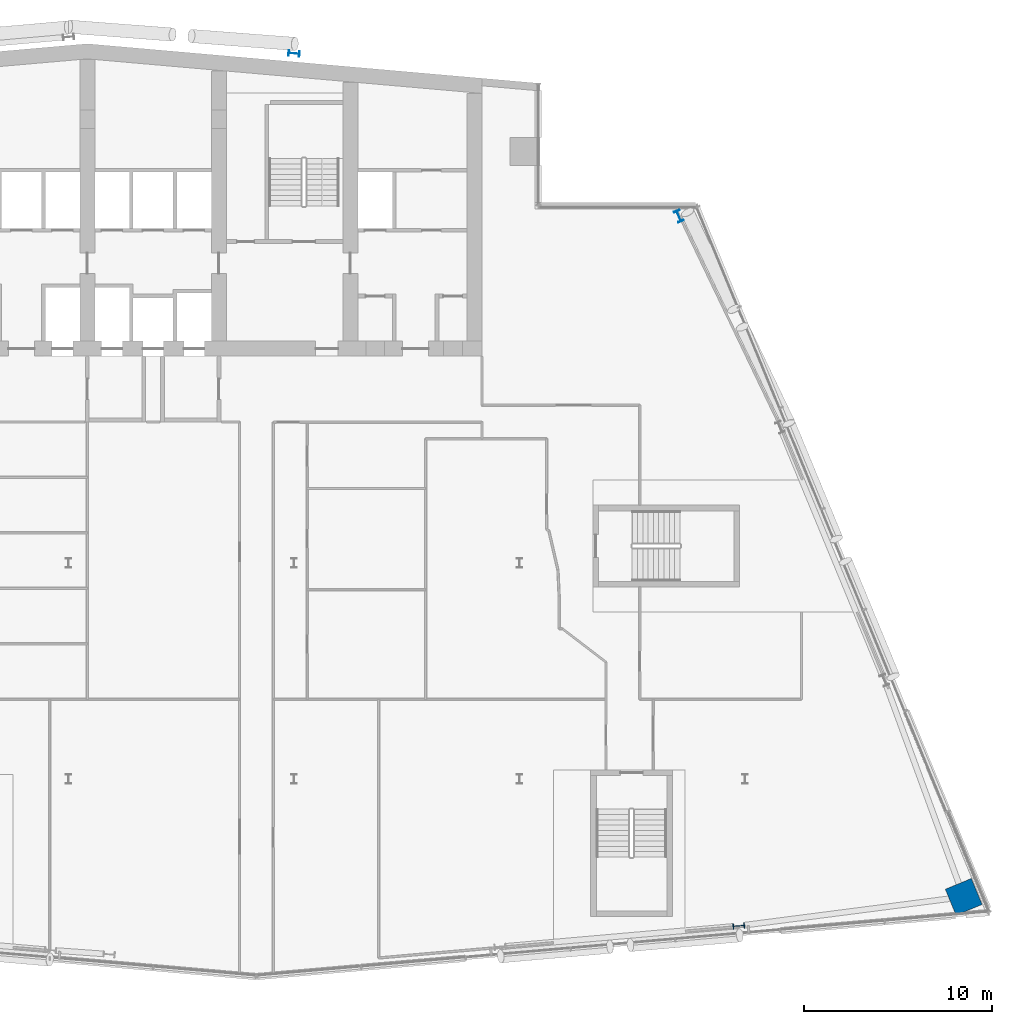
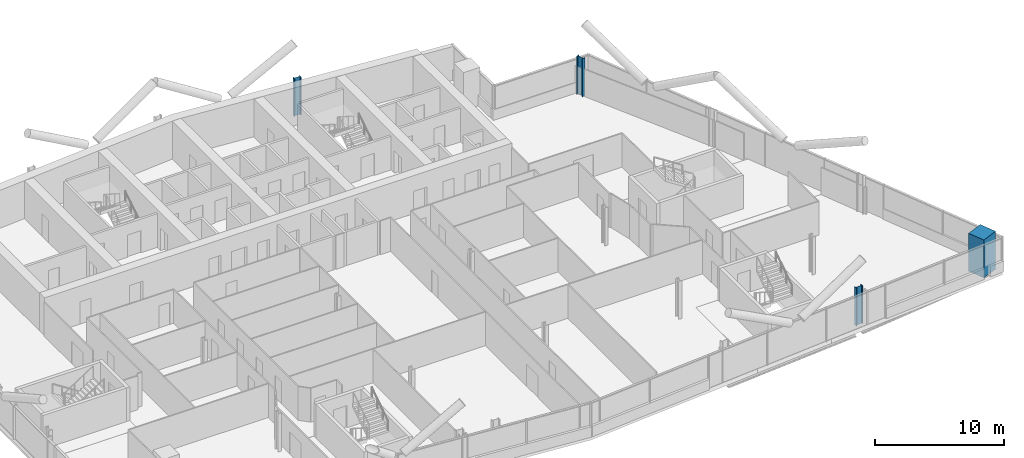
# One storey, part 4 of 26: 4 columns.
"""IFC4 building model written with IfcOpenShell, lengths in metres."""

from ifc_helpers import new_model, si_unit, direction, frame, origin, origin_2d, place, context, subcontext, project, spatial, rectangle, i_section, extrude, material, material_profile, profile_set, type_object, element, save


model = new_model("IFC4")

# Units and contexts
model_context = context("Model", 3, precision=1e-05, world=origin(), true_north=direction((0.0, 1.0)))
body_context = subcontext(model_context, "Body", "Model", "MODEL_VIEW")
ifc_project = project(units=[si_unit("LENGTHUNIT", "METRE"), si_unit("AREAUNIT", "SQUARE_METRE"), si_unit("VOLUMEUNIT", "CUBIC_METRE"), si_unit("PLANEANGLEUNIT", "RADIAN"), si_unit("MASSUNIT", "GRAM", prefix="KILO")], contexts=[model_context])

# Site, building, storey
site_placement = place(None, origin())
site = spatial("IfcSite", under=ifc_project, at=site_placement, CompositionType="ELEMENT")
building_placement = place(site_placement, origin())
building = spatial("IfcBuilding", under=site, at=building_placement, Name="Wharfspan Tower", CompositionType="ELEMENT")
storey_placement = place(building_placement, frame((0.0, 0.0, 166.300049)))
storey = spatial("IfcBuildingStorey", under=building, at=storey_placement, Name="L40", CompositionType="ELEMENT", Elevation=166.300049)

# Columns
ifc_material_1 = material(Name="Steel S355J2", Category="steel")
ifc_material_profile_1 = material_profile(ifc_material_1, i_section(OverallWidth=0.300049, OverallDepth=0.600098, WebThickness=0.015381, FlangeThickness=0.030029, FilletRadius=0.0271, at=origin_2d()))
ifc_profile_set_1 = profile_set([ifc_material_profile_1], Name="Steel S355J2")
column_type_1 = type_object("IfcColumnType", Name="Column HEB 600", PredefinedType="COLUMN", material=ifc_profile_set_1)
column_1_placement = place(storey_placement, frame((48.0, 50.112305, 0.0), z_axis=(0.0, 0.0, 1.0), x_axis=(0.087156, 0.996198, 0.0)))
element("IfcColumn", 1, at=column_1_placement, inside=storey, type_object=column_type_1, Name="Rear column R.3 L40", PredefinedType="COLUMN", context=body_context, shape_type="SweptSolid", body=[
    extrude(i_section(OverallWidth=0.300049, OverallDepth=0.600098, WebThickness=0.015381, FlangeThickness=0.030029, FilletRadius=0.0271, at=origin_2d()), origin(), (0.0, 0.0, 1.0), 3.599854),
])
ifc_material_profile_2 = material_profile(ifc_material_1, i_section(OverallWidth=0.304932, OverallDepth=0.620117, WebThickness=0.020996, FlangeThickness=0.040039, FilletRadius=0.0271, at=origin_2d()))
ifc_profile_set_2 = profile_set([ifc_material_profile_2], Name="Steel S355J2")
column_type_2 = type_object("IfcColumnType", Name="Column HEM 600", PredefinedType="COLUMN", material=ifc_profile_set_2)
for number, where, z_axis, x_axis, name in (
    (2, (71.661865, 3.684814, 0.0), (0.0, 0.0, 1.0), (0.087156, -0.996198, 0.0), "Perimeter column PS2.2 L40"),
    (3, (68.471924, 41.450439, 0.0), (0.0, 0.0, 1.0), (0.924325, 0.381602, 0.0), "Perimeter column PE.3 L40"),
):
    element("IfcColumn", number, at=place(storey_placement, frame(where, z_axis=z_axis, x_axis=x_axis)), inside=storey, type_object=column_type_2, Name=name, PredefinedType="COLUMN", context=body_context, shape_type="SweptSolid", body=[
        extrude(i_section(OverallWidth=0.304932, OverallDepth=0.620117, WebThickness=0.020996, FlangeThickness=0.040039, FilletRadius=0.0271, at=origin_2d()), origin(), (0.0, 0.0, 1.0), 3.599854),
    ])
ifc_material_2 = material(Name="Concrete C60/75", Category="concrete")
ifc_material_profile_3 = material_profile(ifc_material_2, rectangle(XDim=1.5, YDim=1.5, at=origin_2d()))
ifc_profile_set_3 = profile_set([ifc_material_profile_3], Name="Concrete C60/75")
column_type_3 = type_object("IfcColumnType", Name="Mega column 1500 C60/75", PredefinedType="COLUMN", material=ifc_profile_set_3)
column_2_placement = place(storey_placement, frame((83.632568, 5.230713, 0.0), z_axis=(0.0, 0.0, 1.0), x_axis=(-0.381602, 0.924325, 0.0)))
element("IfcColumn", 4, at=column_2_placement, inside=storey, type_object=column_type_3, Name="Mega column MC4 L40", PredefinedType="COLUMN", context=body_context, shape_type="SweptSolid", body=[
    extrude(rectangle(XDim=1.5, YDim=1.5, at=origin_2d()), origin(), (0.0, 0.0, 1.0), 3.599854),
])

save(model, "model.ifc")
